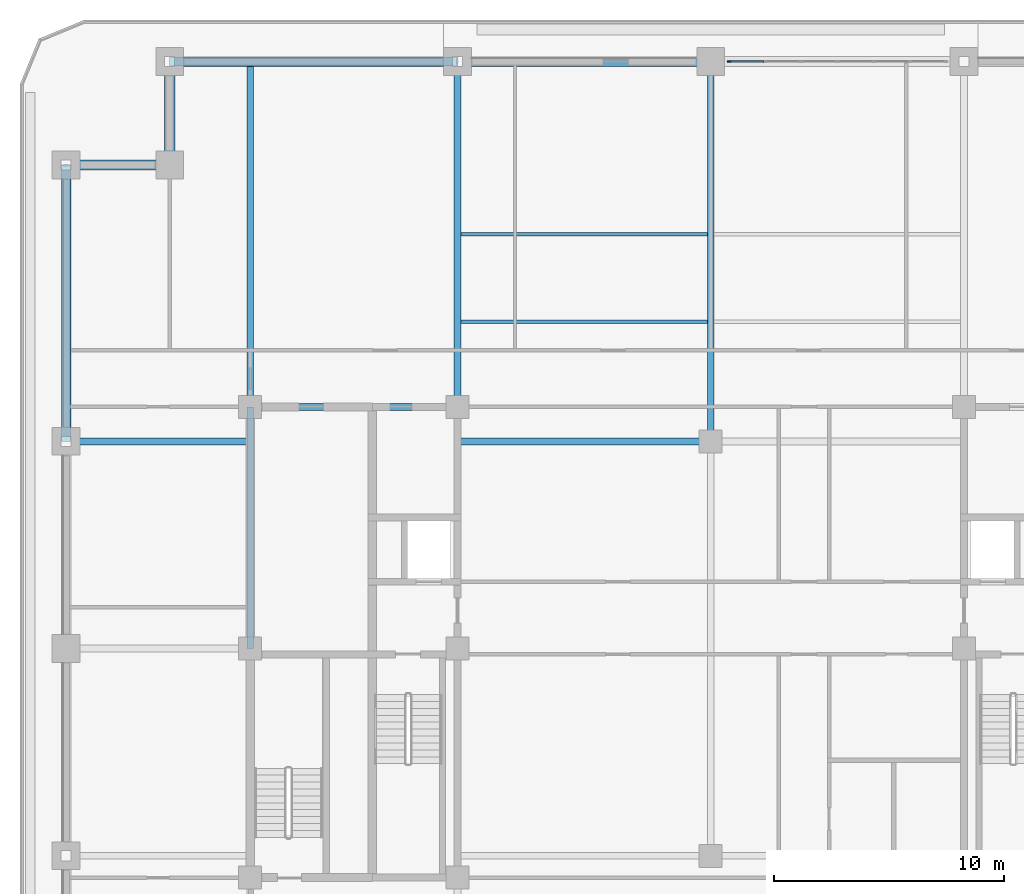
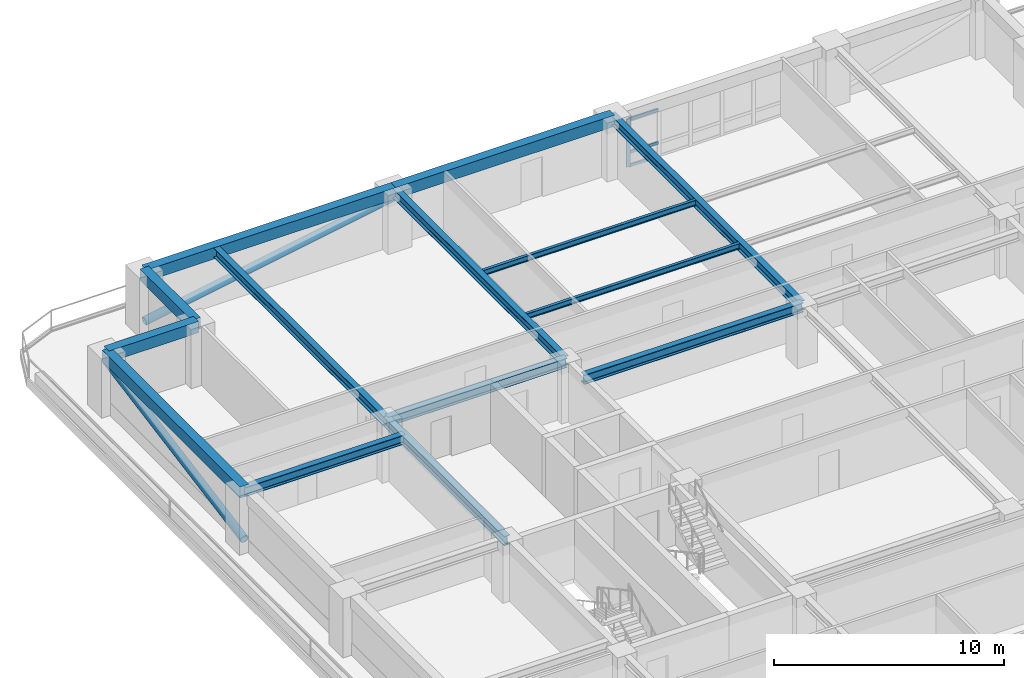
# One storey, part 5 of 17: 14 beams, 6 members, 1 element without a shape of its own.
"""IFC4 building model written with IfcOpenShell, lengths in metres."""

from ifc_helpers import new_model, si_unit, direction, frame, origin, origin_2d, place, context, subcontext, project, spatial, rectangle, hollow_circle, i_section, extrude, material, material_profile, profile_set, type_object, element, aggregate, save


model = new_model("IFC4")

# Units and contexts
model_context = context("Model", 3, precision=1e-05, world=origin(), true_north=direction((0.0, 1.0)))
body_context = subcontext(model_context, "Body", "Model", "MODEL_VIEW")
ifc_project = project(units=[si_unit("LENGTHUNIT", "METRE"), si_unit("AREAUNIT", "SQUARE_METRE"), si_unit("VOLUMEUNIT", "CUBIC_METRE"), si_unit("PLANEANGLEUNIT", "RADIAN"), si_unit("MASSUNIT", "GRAM", prefix="KILO")], contexts=[model_context])

# Site, building, storey
site_placement = place(None, origin())
site = spatial("IfcSite", under=ifc_project, at=site_placement, CompositionType="ELEMENT")
building_placement = place(site_placement, origin())
building = spatial("IfcBuilding", under=site, at=building_placement, Name="Zulmaris Gate Convention Tower", CompositionType="ELEMENT")
storey_placement = place(building_placement, frame((0.0, 0.0, 149.909912109375)))
storey = spatial("IfcBuildingStorey", under=building, at=storey_placement, Name="L38", CompositionType="ELEMENT", Elevation=149.909912109375)

# Beams
ifc_material_1 = material(Name="Steel S355", Category="steel")
ifc_material_profile_1 = material_profile(ifc_material_1, i_section(OverallWidth=0.300048828125, OverallDepth=0.5, WebThickness=0.014404296875, FlangeThickness=0.028076171875, FilletRadius=0.027099609375, at=origin_2d()), Name="HEB 500")
ifc_profile_set_1 = profile_set([ifc_material_profile_1], Name="Steel S355")
beam_type_1 = type_object("IfcBeamType", Name="BM-HEB500", PredefinedType="BEAM", material=ifc_profile_set_1)
beam_1_placement = place(storey_placement, frame((-11.0, 9.0, 2.89306640625), z_axis=(1.0, 0.0, 0.0), x_axis=(0.0, 1.0, 0.0)))
element("IfcBeam", 1, at=beam_1_placement, inside=storey, type_object=beam_type_1, Name="L38 Beam BM-L38-G03", PredefinedType="BEAM", context=body_context, shape_type="SweptSolid", body=[
    extrude(i_section(OverallWidth=0.300048828125, OverallDepth=0.5, WebThickness=0.014404296875, FlangeThickness=0.028076171875, FilletRadius=0.027099609375, at=origin_2d()), origin(), (0.0, 0.0, 1.0), 11.0),
])
beam_2_placement = place(storey_placement, frame((0.0, 9.0, 2.89306640625), z_axis=(0.0, 1.0, 0.0), x_axis=(-1.0, 0.0, 0.0)))
element("IfcBeam", 2, at=beam_2_placement, inside=storey, type_object=beam_type_1, Name="L38 Beam BM-L38-G07", PredefinedType="BEAM", context=body_context, shape_type="SweptSolid", body=[
    extrude(i_section(OverallWidth=0.300048828125, OverallDepth=0.5, WebThickness=0.014404296875, FlangeThickness=0.028076171875, FilletRadius=0.027099609375, at=origin_2d()), origin(), (0.0, 0.0, 1.0), 16.5),
])
for number, where, z_axis, x_axis, name in (
    (3, (-11.0, 10.5, 2.89306640625), (0.0, 1.0, 0.0), (-1.0, 0.0, 0.0), "L38 Beam BM-L38-G09"),
    (4, (-20.0, 10.5, 2.89306640625), (0.0, 1.0, 0.0), (-1.0, 0.0, 0.0), "L38 Beam BM-L38-G13"),
):
    element("IfcBeam", number, at=place(storey_placement, frame(where, z_axis=z_axis, x_axis=x_axis)), inside=storey, type_object=beam_type_1, Name=name, PredefinedType="BEAM", context=body_context, shape_type="SweptSolid", body=[
        extrude(i_section(OverallWidth=0.300048828125, OverallDepth=0.5, WebThickness=0.014404296875, FlangeThickness=0.028076171875, FilletRadius=0.027099609375, at=origin_2d()), origin(), (0.0, 0.0, 1.0), 15.0),
    ])
beam_3_placement = place(storey_placement, frame((-28.0, 9.0, 2.89306640625), z_axis=(1.0, 0.0, 0.0), x_axis=(0.0, 1.0, 0.0)))
element("IfcBeam", 5, at=beam_3_placement, inside=storey, type_object=beam_type_1, Name="L38 Beam BM-L38-G18", PredefinedType="BEAM", context=body_context, shape_type="SweptSolid", body=[
    extrude(i_section(OverallWidth=0.300048828125, OverallDepth=0.5, WebThickness=0.014404296875, FlangeThickness=0.028076171875, FilletRadius=0.027099609375, at=origin_2d()), origin(), (0.0, 0.0, 1.0), 8.0),
])
beam_4_placement = place(storey_placement, frame((-20.0, 10.5, 2.89306640625), z_axis=(1.0, 0.0, 0.0), x_axis=(0.0, 1.0, 0.0)))
element("IfcBeam", 6, at=beam_4_placement, inside=storey, type_object=beam_type_1, Name="L38 Beam BM-L38-G23", PredefinedType="BEAM", context=body_context, shape_type="SweptSolid", body=[
    extrude(i_section(OverallWidth=0.300048828125, OverallDepth=0.5, WebThickness=0.014404296875, FlangeThickness=0.028076171875, FilletRadius=0.027099609375, at=origin_2d()), origin(), (0.0, 0.0, 1.0), 9.0),
])
beam_5_placement = place(storey_placement, frame((-20.0, 0.0, 2.89306640625), z_axis=(0.0, 1.0, 0.0), x_axis=(-1.0, 0.0, 0.0)))
element("IfcBeam", 7, at=beam_5_placement, inside=storey, type_object=beam_type_1, Name="L38 Beam BM-L38-G27", PredefinedType="BEAM", context=body_context, shape_type="SweptSolid", body=[
    extrude(i_section(OverallWidth=0.300048828125, OverallDepth=0.5, WebThickness=0.014404296875, FlangeThickness=0.028076171875, FilletRadius=0.027099609375, at=origin_2d()), origin(), (0.0, 0.0, 1.0), 10.5),
])
ifc_material_2 = material(Name="Precast concrete C50/60", Category="concrete")
ifc_material_profile_2 = material_profile(ifc_material_2, rectangle(XDim=0.449951171875, YDim=0.60009765625, at=origin_2d()), Name="RC SPANDREL 450x600")
ifc_profile_set_2 = profile_set([ifc_material_profile_2], Name="Precast concrete C50/60")
beam_type_2 = type_object("IfcBeamType", Name="BM-SP450x600", PredefinedType="SPANDREL", material=ifc_profile_set_2)
beam_6_placement = place(storey_placement, frame((0.0, 25.5, 2.844970703125), z_axis=(-1.0, 0.0, 0.0), x_axis=(0.0, -1.0, 0.0)))
element("IfcBeam", 8, at=beam_6_placement, inside=storey, type_object=beam_type_2, Name="L38 Spandrel SP-L38-15", PredefinedType="SPANDREL", context=body_context, shape_type="SweptSolid", body=[
    extrude(rectangle(XDim=0.449951171875, YDim=0.60009765625, at=origin_2d()), origin(), (0.0, 0.0, 1.0), 11.0),
])
beam_7_placement = place(storey_placement, frame((-11.0, 25.5, 2.844970703125), z_axis=(-1.0, 0.0, 0.0), x_axis=(0.0, -1.0, 0.0)))
element("IfcBeam", 9, at=beam_7_placement, inside=storey, type_object=beam_type_2, Name="L38 Spandrel SP-L38-16", PredefinedType="SPANDREL", context=body_context, shape_type="SweptSolid", body=[
    extrude(rectangle(XDim=0.449951171875, YDim=0.60009765625, at=origin_2d()), origin(), (0.0, 0.0, 1.0), 12.5),
])
for number, where, z_axis, x_axis, name in (
    (10, (-23.5, 25.5, 2.844970703125), (0.0, -1.0, 0.0), (1.0, 0.0, 0.0), "L38 Spandrel SP-L38-17"),
    (11, (-23.5, 21.0, 2.844970703125), (-1.0, 0.0, 0.0), (0.0, -1.0, 0.0), "L38 Spandrel SP-L38-18"),
):
    element("IfcBeam", number, at=place(storey_placement, frame(where, z_axis=z_axis, x_axis=x_axis)), inside=storey, type_object=beam_type_2, Name=name, PredefinedType="SPANDREL", context=body_context, shape_type="SweptSolid", body=[
        extrude(rectangle(XDim=0.449951171875, YDim=0.60009765625, at=origin_2d()), origin(), (0.0, 0.0, 1.0), 4.5),
    ])
beam_8_placement = place(storey_placement, frame((-28.0, 21.0, 2.844970703125), z_axis=(0.0, -1.0, 0.0), x_axis=(1.0, 0.0, 0.0)))
element("IfcBeam", 12, at=beam_8_placement, inside=storey, type_object=beam_type_2, Name="L38 Spandrel SP-L38-19", PredefinedType="SPANDREL", context=body_context, shape_type="SweptSolid", body=[
    extrude(rectangle(XDim=0.449951171875, YDim=0.60009765625, at=origin_2d()), origin(), (0.0, 0.0, 1.0), 12.0),
])

# Members
ifc_material_3 = material(Name="Steel S460", Category="steel")
ifc_material_profile_3 = material_profile(ifc_material_3, hollow_circle(Radius=0.203125, WallThickness=0.02001953125, at=origin_2d()), Name="CHS 406.4x20")
ifc_profile_set_3 = profile_set([ifc_material_profile_3], Name="Steel S460")
member_type_1 = type_object("IfcMemberType", Name="BR-CHS406", PredefinedType="BRACE", material=ifc_profile_set_3)
member_1_placement = place(storey_placement, frame((-28.0, 9.0, 0.300048828125), z_axis=(0.0, 0.983239794961, 0.182317046942), x_axis=(-1.0, 0.0, 0.0)))
element("IfcMember", 13, at=member_1_placement, inside=storey, type_object=member_type_1, Name="L38 Perimeter Tube Diagonal NW-W", PredefinedType="BRACE", context=body_context, shape_type="SweptSolid", body=[
    extrude(hollow_circle(Radius=0.203125, WallThickness=0.02001953125, at=origin_2d()), origin(), (0.0, 0.0, 1.0), 12.20458984375),
])
member_2_placement = place(storey_placement, frame((-23.5, 25.5, 0.300048828125), z_axis=(0.984523454661, 0.0, 0.175252866519), x_axis=(0.0, 1.0, 0.0)))
element("IfcMember", 14, at=member_2_placement, inside=storey, type_object=member_type_1, Name="L38 Perimeter Tube Diagonal NW-N", PredefinedType="BRACE", context=body_context, shape_type="SweptSolid", body=[
    extrude(hollow_circle(Radius=0.203125, WallThickness=0.02001953125, at=origin_2d()), origin(), (0.0, 0.0, 1.0), 12.696533203125),
])

# Curtain wall, members
ifc_material_4 = material(Name="Anodised Aluminium", Category="aluminium")
curtain_wall_type = type_object("IfcCurtainWallType", Name="CW-06", PredefinedType="NOTDEFINED", material=ifc_material_4)
curtain_wall_placement = place(storey_placement, origin())
curtain_wall = element("IfcCurtainWall", 15, at=curtain_wall_placement, inside=storey, type_object=curtain_wall_type, Name="CW-06 CW06-L38-N-2_0", PredefinedType="NOTDEFINED")
ifc_material_profile_4 = material_profile(ifc_material_4, rectangle(XDim=0.074951171875, YDim=0.179931640625, at=origin_2d()), Name="ALU MULLION 75x180")
ifc_profile_set_4 = profile_set([ifc_material_profile_4], Name="Anodised Aluminium")
member_type_2 = type_object("IfcMemberType", Name="CW-06-MULL", PredefinedType="MULLION", material=ifc_profile_set_4)
member_3_placement = place(storey_placement, frame((0.797607421875, 25.5, 0.0), z_axis=(0.0, 0.0, 1.0), x_axis=(0.0, -1.0, 0.0)))
member_3 = element("IfcMember", 16, at=member_3_placement, type_object=member_type_2, Name="CW-06 mullion 7", PredefinedType="MULLION", context=body_context, shape_type="SweptSolid", body=[
    extrude(rectangle(XDim=0.074951171875, YDim=0.179931640625, at=origin_2d()), origin(), (0.0, 0.0, 1.0), 2.537109375),
])
ifc_material_profile_5 = material_profile(ifc_material_4, rectangle(XDim=0.074951171875, YDim=0.14990234375, at=origin_2d()), Name="ALU TRANSOM 75x150")
ifc_profile_set_5 = profile_set([ifc_material_profile_5], Name="Anodised Aluminium")
member_type_3 = type_object("IfcMemberType", Name="CW-06-TRAN", PredefinedType="USERDEFINED", material=ifc_profile_set_5)
member_4_placement = place(storey_placement, frame((2.302490234375, 25.5, 0.03759765625), z_axis=(-1.0, 0.0, 0.0), x_axis=(0.0, -1.0, 0.0)))
member_4 = element("IfcMember", 17, at=member_4_placement, type_object=member_type_3, Name="CW-06 transom 6.1", ObjectType="TRANSOM", PredefinedType="USERDEFINED", context=body_context, shape_type="SweptSolid", body=[
    extrude(rectangle(XDim=0.074951171875, YDim=0.14990234375, at=origin_2d()), origin(), (0.0, 0.0, 1.0), 1.467529296875),
])
member_5_placement = place(storey_placement, frame((2.302490234375, 25.5, 0.75), z_axis=(-1.0, 0.0, 0.0), x_axis=(0.0, -1.0, 0.0)))
member_5 = element("IfcMember", 18, at=member_5_placement, type_object=member_type_3, Name="CW-06 transom 6.2", ObjectType="TRANSOM", PredefinedType="USERDEFINED", context=body_context, shape_type="SweptSolid", body=[
    extrude(rectangle(XDim=0.074951171875, YDim=0.14990234375, at=origin_2d()), origin(), (0.0, 0.0, 1.0), 1.467529296875),
])
member_6_placement = place(storey_placement, frame((2.302490234375, 25.5, 2.49951171875), z_axis=(-1.0, 0.0, 0.0), x_axis=(0.0, -1.0, 0.0)))
member_6 = element("IfcMember", 19, at=member_6_placement, type_object=member_type_3, Name="CW-06 transom 6.3", ObjectType="TRANSOM", PredefinedType="USERDEFINED", context=body_context, shape_type="SweptSolid", body=[
    extrude(rectangle(XDim=0.074951171875, YDim=0.14990234375, at=origin_2d()), origin(), (0.0, 0.0, 1.0), 1.467529296875),
])
aggregate(curtain_wall, [member_3, member_4, member_5, member_6])

# Beams
ifc_material_profile_6 = material_profile(ifc_material_1, i_section(OverallWidth=0.14990234375, OverallDepth=0.300048828125, WebThickness=0.007080078125, FlangeThickness=0.0107421875, FilletRadius=0.014892578125, at=origin_2d()), Name="IPE 300")
ifc_profile_set_6 = profile_set([ifc_material_profile_6], Name="Steel S355")
beam_type_3 = type_object("IfcBeamType", Name="JT-IPE300", PredefinedType="JOIST", material=ifc_profile_set_6)
for number, where, z_axis, x_axis, name in (
    (20, (-10.85009765625, 14.199951171875, 2.9931640625), (1.0, 0.0, 0.0), (0.0, 1.0, 0.0), "L38 Joist JT-L38-CW-+14.2"),
    (21, (-10.85009765625, 18.0, 2.9931640625), (1.0, 0.0, 0.0), (0.0, 1.0, 0.0), "L38 Joist JT-L38-CW-+18.0"),
):
    element("IfcBeam", number, at=place(storey_placement, frame(where, z_axis=z_axis, x_axis=x_axis)), inside=storey, type_object=beam_type_3, Name=name, PredefinedType="JOIST", context=body_context, shape_type="SweptSolid", body=[
        extrude(i_section(OverallWidth=0.14990234375, OverallDepth=0.300048828125, WebThickness=0.007080078125, FlangeThickness=0.0107421875, FilletRadius=0.014892578125, at=origin_2d()), origin(), (0.0, 0.0, 1.0), 10.7001953125),
    ])

save(model, "model.ifc")
